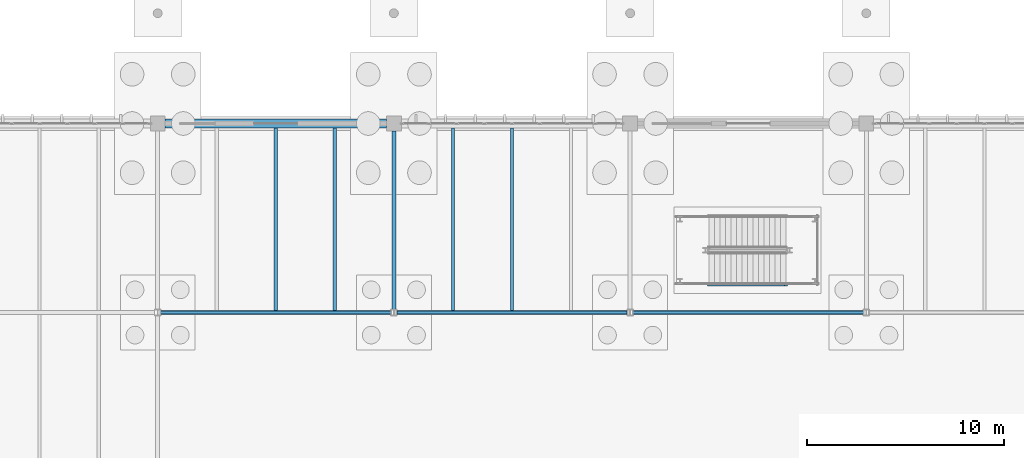
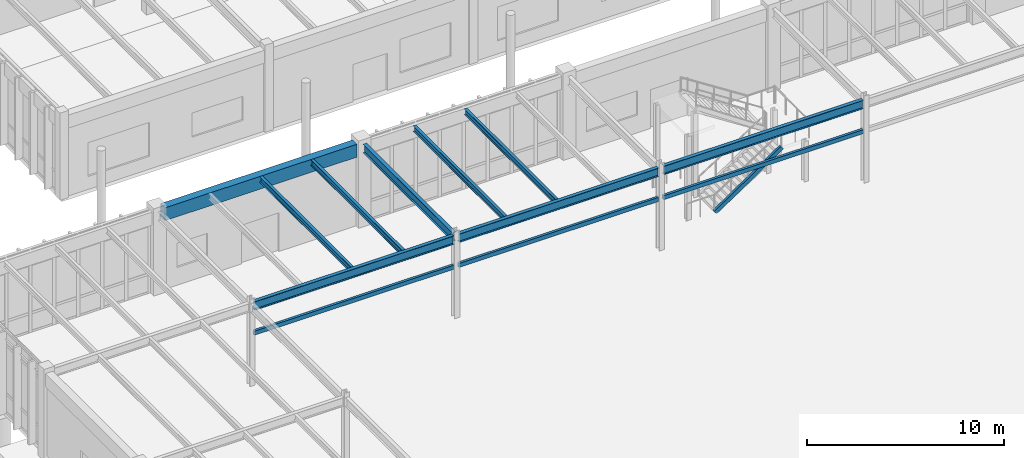
# One storey, part 76 of 188: 12 beams, 1 member.
"""IFC4 building model written with IfcOpenShell, lengths in metres."""

from ifc_helpers import new_model, si_unit, direction, frame, origin, origin_2d, place, context, subcontext, project, spatial, rectangle, hollow_rectangle, i_section, extrude, material, material_profile, profile_set, type_object, element, save


model = new_model("IFC4")

# Units and contexts
model_context = context("Model", 3, precision=1e-05, world=origin(), true_north=direction((0.0, 1.0)))
body_context = subcontext(model_context, "Body", "Model", "MODEL_VIEW")
ifc_project = project(units=[si_unit("LENGTHUNIT", "METRE"), si_unit("AREAUNIT", "SQUARE_METRE"), si_unit("VOLUMEUNIT", "CUBIC_METRE"), si_unit("PLANEANGLEUNIT", "RADIAN"), si_unit("MASSUNIT", "GRAM", prefix="KILO")], contexts=[model_context])

# Site, building, storey
site_placement = place(None, origin())
site = spatial("IfcSite", under=ifc_project, at=site_placement, CompositionType="ELEMENT")
building_placement = place(site_placement, origin())
building = spatial("IfcBuilding", under=site, at=building_placement, Name="Pandanus Reach Market Hall", CompositionType="ELEMENT")
storey_placement = place(building_placement, origin())
storey = spatial("IfcBuildingStorey", under=building, at=storey_placement, Name="L00", CompositionType="ELEMENT", Elevation=0.0)

# Beams
ifc_material_1 = material(Name="Concrete N40 (40 MPa)", Category="concrete")
ifc_material_profile_1 = material_profile(ifc_material_1, rectangle(XDim=0.449951171875, YDim=0.800048828125, at=origin_2d()), Name="RC450x800", Category="LoadBearing")
ifc_profile_set_1 = profile_set([ifc_material_profile_1], Name="Concrete N40 (40 MPa)")
beam_type_1 = type_object("IfcBeamType", Name="BM-RC450-E", PredefinedType="SPANDREL", material=ifc_profile_set_1)
beam_1_placement = place(storey_placement, frame((60.373046875, 86.39990234375, 4.719970703125), z_axis=(1.0, 0.0, 0.0), x_axis=(0.0, 1.0, 0.0)))
element("IfcBeam", 1, at=beam_1_placement, inside=storey, type_object=beam_type_1, Name="Framing beam BM-RC450-E L00.1060", PredefinedType="SPANDREL", context=body_context, shape_type="SweptSolid", body=[
    extrude(rectangle(XDim=0.449951171875, YDim=0.800048828125, at=origin_2d()), origin(), (0.0, 0.0, 1.0), 11.25390625),
])
ifc_material_2 = material(Name="Steel Grade 350 (350 MPa)", Category="steel")
ifc_material_profile_2 = material_profile(ifc_material_2, i_section(OverallWidth=0.208984375, OverallDepth=0.532958984375, WebThickness=0.01025390625, FlangeThickness=0.015625, at=origin_2d()), Name="530UB92.4", Category="LoadBearing")
ifc_profile_set_2 = profile_set([ifc_material_profile_2], Name="Steel Grade 350 (350 MPa)")
beam_type_2 = type_object("IfcBeamType", Name="BM-UB530-I", PredefinedType="BEAM", material=ifc_profile_set_2)
for number, where, z_axis, x_axis, name in (
    (2, (60.155517578125, 76.800048828125, 4.85302734375), (1.0, 0.0, 0.0), (0.0, 1.0, 0.0), "Framing beam BM-UB530-I L00.1053"),
    (3, (72.155517578125, 76.800048828125, 4.85302734375), (1.0, 0.0, 0.0), (0.0, 1.0, 0.0), "Framing beam BM-UB530-I L00.1054"),
    (4, (84.155517578125, 76.800048828125, 4.85302734375), (1.0, 0.0, 0.0), (0.0, 1.0, 0.0), "Framing beam BM-UB530-I L00.1055"),
):
    element("IfcBeam", number, at=place(storey_placement, frame(where, z_axis=z_axis, x_axis=x_axis)), inside=storey, type_object=beam_type_2, Name=name, PredefinedType="BEAM", context=body_context, shape_type="SweptSolid", body=[
        extrude(i_section(OverallWidth=0.208984375, OverallDepth=0.532958984375, WebThickness=0.01025390625, FlangeThickness=0.015625, at=origin_2d()), origin(), (0.0, 0.0, 1.0), 11.68896484375),
    ])
beam_2_placement = place(storey_placement, frame((72.0, 76.95556640625, 4.85302734375), z_axis=(0.0, 1.0, 0.0), x_axis=(-1.0, 0.0, 0.0)))
element("IfcBeam", 5, at=beam_2_placement, inside=storey, type_object=beam_type_2, Name="Framing beam BM-UB530-I L00.1071", PredefinedType="BEAM", context=body_context, shape_type="SweptSolid", body=[
    extrude(i_section(OverallWidth=0.208984375, OverallDepth=0.532958984375, WebThickness=0.01025390625, FlangeThickness=0.015625, at=origin_2d()), origin(), (0.0, 0.0, 1.0), 9.071533203125),
])
ifc_material_profile_3 = material_profile(ifc_material_2, i_section(OverallWidth=0.1708984375, OverallDepth=0.35595703125, WebThickness=0.00732421875, FlangeThickness=0.011474609375, at=origin_2d()), Name="360UB50.7", Category="LoadBearing")
ifc_profile_set_3 = profile_set([ifc_material_profile_3], Name="Steel Grade 350 (350 MPa)")
beam_type_3 = type_object("IfcBeamType", Name="JS-UB360-I", PredefinedType="JOIST", material=ifc_profile_set_3)
for number, where, z_axis, x_axis, name in (
    (6, (66.0, 76.902587890625, 4.941650390625), (0.0, 1.0, 0.0), (-1.0, 0.0, 0.0), "Secondary joist JS-UB360-I L00.1112"),
    (7, (69.0, 76.902587890625, 4.941650390625), (0.0, 1.0, 0.0), (-1.0, 0.0, 0.0), "Secondary joist JS-UB360-I L00.1113"),
    (8, (75.0, 76.902587890625, 4.941650390625), (0.0, 1.0, 0.0), (-1.0, 0.0, 0.0), "Secondary joist JS-UB360-I L00.1117"),
    (9, (78.0, 76.902587890625, 4.941650390625), (0.0, 1.0, 0.0), (-1.0, 0.0, 0.0), "Secondary joist JS-UB360-I L00.1118"),
):
    element("IfcBeam", number, at=place(storey_placement, frame(where, z_axis=z_axis, x_axis=x_axis)), inside=storey, type_object=beam_type_3, Name=name, PredefinedType="JOIST", context=body_context, shape_type="SweptSolid", body=[
        extrude(i_section(OverallWidth=0.1708984375, OverallDepth=0.35595703125, WebThickness=0.00732421875, FlangeThickness=0.011474609375, at=origin_2d()), origin(), (0.0, 0.0, 1.0), 9.2744140625),
    ])
ifc_material_profile_4 = material_profile(ifc_material_2, hollow_rectangle(XDim=0.14990234375, YDim=0.25, WallThickness=0.009033203125, at=origin_2d()), Name="250x150x9.0RHS", Category="LoadBearing")
ifc_profile_set_4 = profile_set([ifc_material_profile_4], Name="Steel Grade 350 (350 MPa)")
beam_type_4 = type_object("IfcBeamType", Name="LN-RHS250-E", PredefinedType="LINTEL", material=ifc_profile_set_4)
for number, where, z_axis, x_axis, name in (
    (10, (60.14794921875, 76.800048828125, 3.14990234375), (1.0, 0.0, 0.0), (0.0, 1.0, 0.0), "Market stall portal lintel LN-RHS250-E 7"),
    (11, (72.14794921875, 76.800048828125, 3.14990234375), (1.0, 0.0, 0.0), (0.0, 1.0, 0.0), "Market stall portal lintel LN-RHS250-E 8"),
    (12, (84.14794921875, 76.800048828125, 3.14990234375), (1.0, 0.0, 0.0), (0.0, 1.0, 0.0), "Market stall portal lintel LN-RHS250-E 9"),
):
    element("IfcBeam", number, at=place(storey_placement, frame(where, z_axis=z_axis, x_axis=x_axis)), inside=storey, type_object=beam_type_4, Name=name, PredefinedType="LINTEL", context=body_context, shape_type="SweptSolid", body=[
        extrude(hollow_rectangle(XDim=0.14990234375, YDim=0.25, WallThickness=0.009033203125, at=origin_2d()), origin(), (0.0, 0.0, 1.0), 11.7041015625),
    ])

# Member
ifc_material_profile_5 = material_profile(ifc_material_2, hollow_rectangle(XDim=0.14990234375, YDim=0.25, WallThickness=0.009033203125, at=origin_2d()), Name="250x150x9.0RHS", Category="LoadBearing")
ifc_profile_set_5 = profile_set([ifc_material_profile_5], Name="Steel Grade 350 (350 MPa)")
member_type = type_object("IfcMemberType", Name="SG-RHS250-I", PredefinedType="STRINGER", material=ifc_profile_set_5)
member_placement = place(storey_placement, frame((88.0, 78.2099609375, 0.02001953125), z_axis=(0.827479195178, 0.0, 0.561496377146), x_axis=(0.0, 1.0, 0.0)))
element("IfcMember", 13, at=member_placement, inside=storey, type_object=member_type, Name="Stair stringer ST-09 L00 F1L", PredefinedType="STRINGER", context=body_context, shape_type="SweptSolid", body=[
    extrude(hollow_rectangle(XDim=0.14990234375, YDim=0.25, WallThickness=0.009033203125, at=origin_2d()), origin(), (0.0, 0.0, 1.0), 4.7373046875),
])

save(model, "model.ifc")
